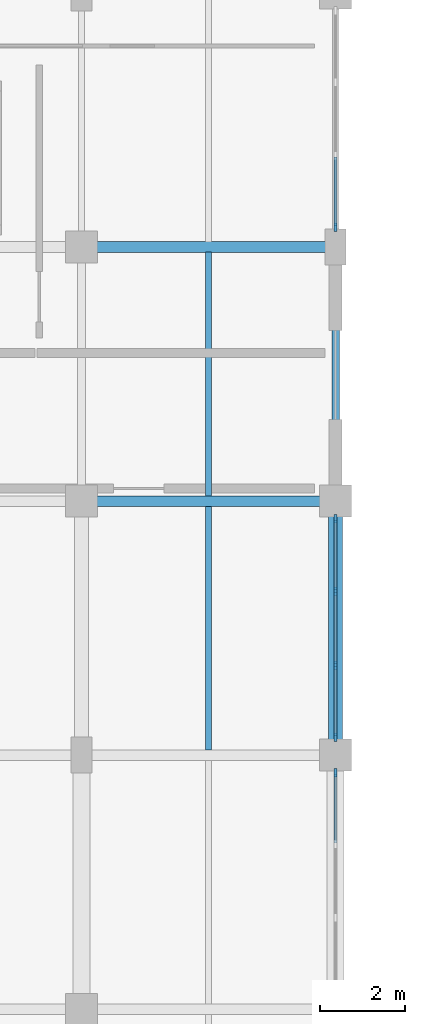
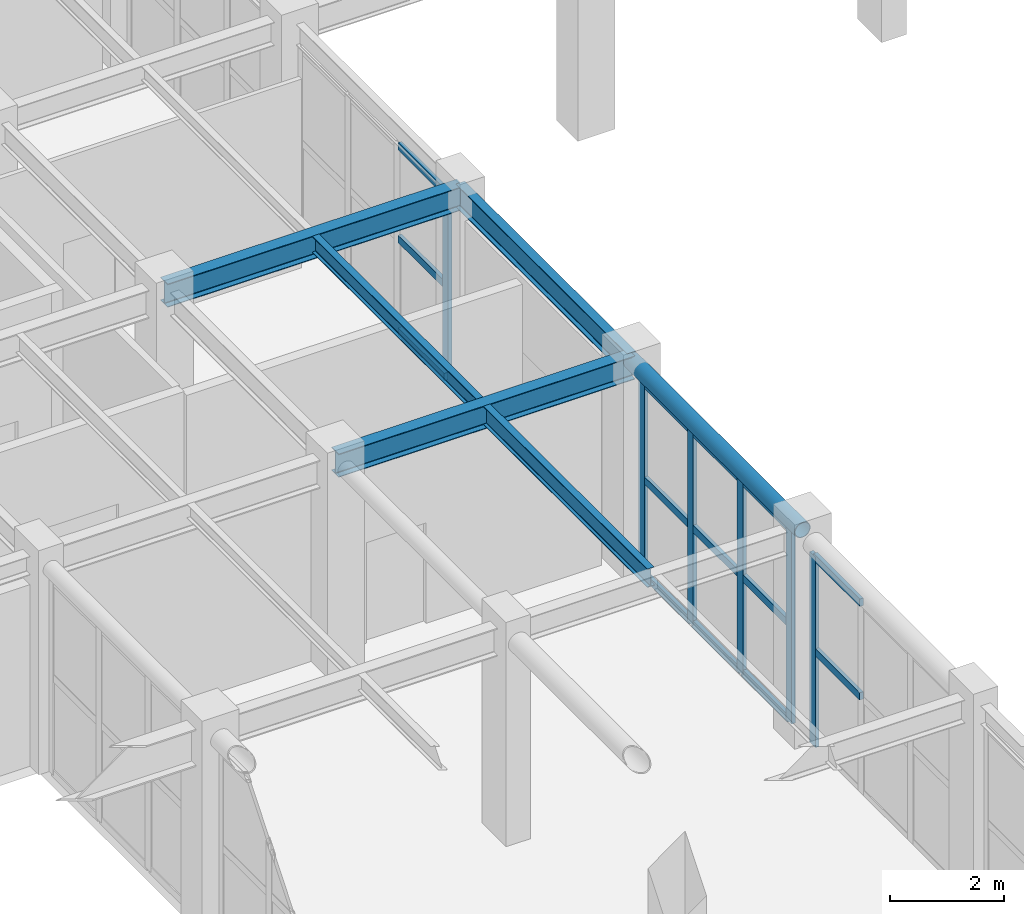
# One storey, part 13 of 76: 20 members, 6 beams, 3 elements without a shape of their own.
"""IFC4 building model written with IfcOpenShell, lengths in metres."""

from ifc_helpers import new_model, si_unit, direction, frame, origin, origin_2d, place, context, subcontext, project, spatial, rectangle, hollow_circle, i_section, extrude, material, material_profile, profile_set, type_object, element, aggregate, save


model = new_model("IFC4")

# Units and contexts
model_context = context("Model", 3, precision=1e-05, world=origin(), true_north=direction((0.0, 1.0)))
body_context = subcontext(model_context, "Body", "Model", "MODEL_VIEW")
ifc_project = project(units=[si_unit("LENGTHUNIT", "METRE"), si_unit("AREAUNIT", "SQUARE_METRE"), si_unit("VOLUMEUNIT", "CUBIC_METRE"), si_unit("PLANEANGLEUNIT", "RADIAN"), si_unit("MASSUNIT", "GRAM", prefix="KILO")], contexts=[model_context])

# Site, building, storey
site_placement = place(None, origin())
site = spatial("IfcSite", under=ifc_project, at=site_placement, CompositionType="ELEMENT")
building_placement = place(site_placement, origin())
building = spatial("IfcBuilding", under=site, at=building_placement, Name="Varnakota Square Police Headquarters", CompositionType="ELEMENT")
storey_placement = place(building_placement, origin())
storey = spatial("IfcBuildingStorey", under=building, at=storey_placement, Name="L00", CompositionType="ELEMENT", Elevation=0.0)

# Beams
ifc_material_1 = material(Name="Steel IS 2062 Grade 350", Category="steel")
ifc_material_profile_1 = material_profile(ifc_material_1, hollow_circle(Radius=0.161865234375, WallThickness=0.0126953125, at=origin_2d()), Name="CHS 323.9x12.7")
ifc_profile_set_1 = profile_set([ifc_material_profile_1], Name="Steel IS 2062 Grade 350")
beam_type_1 = type_object("IfcBeamType", Name="BM-ARC-CHS324", PredefinedType="BEAM", material=ifc_profile_set_1)
beam_1_placement = place(storey_placement, frame((42.0, 51.0, 4.337890625), z_axis=(0.0, 1.0, 0.0), x_axis=(-1.0, 0.0, 0.0)))
element("IfcBeam", 1, at=beam_1_placement, inside=storey, type_object=beam_type_1, Name="BMG-L00-1018", PredefinedType="BEAM", context=body_context, shape_type="SweptSolid", body=[
    extrude(hollow_circle(Radius=0.161865234375, WallThickness=0.0126953125, at=origin_2d()), origin(), (0.0, 0.0, 1.0), 6.0),
])
ifc_material_profile_2 = material_profile(ifc_material_1, i_section(OverallWidth=0.139892578125, OverallDepth=0.35009765625, WebThickness=0.008056640625, FlangeThickness=0.01416015625, FilletRadius=0.013916015625, at=origin_2d()), Name="ISMB 350")
ifc_profile_set_2 = profile_set([ifc_material_profile_2], Name="Steel IS 2062 Grade 350")
beam_type_2 = type_object("IfcBeamType", Name="BM-ISMB350", PredefinedType="JOIST", material=ifc_profile_set_2)
beam_2_placement = place(storey_placement, frame((39.0, 57.123046875, 4.324951171875), z_axis=(0.0, 1.0, 0.0), x_axis=(-1.0, 0.0, 0.0)))
element("IfcBeam", 2, at=beam_2_placement, inside=storey, type_object=beam_type_2, Name="BMG-L00-1233", PredefinedType="JOIST", context=body_context, shape_type="SweptSolid", body=[
    extrude(i_section(OverallWidth=0.139892578125, OverallDepth=0.35009765625, WebThickness=0.008056640625, FlangeThickness=0.01416015625, FilletRadius=0.013916015625, at=origin_2d()), origin(), (0.0, 0.0, 1.0), 5.75390625),
])
ifc_material_profile_3 = material_profile(ifc_material_1, i_section(OverallWidth=0.139892578125, OverallDepth=0.39990234375, WebThickness=0.0087890625, FlangeThickness=0.01611328125, FilletRadius=0.013916015625, at=origin_2d()), Name="ISMB 400")
ifc_profile_set_3 = profile_set([ifc_material_profile_3], Name="Steel IS 2062 Grade 350")
beam_type_3 = type_object("IfcBeamType", Name="BM-ISMB400", PredefinedType="JOIST", material=ifc_profile_set_3)
beam_3_placement = place(storey_placement, frame((39.0, 51.123046875, 4.300048828125), z_axis=(0.0, 1.0, 0.0), x_axis=(-1.0, 0.0, 0.0)))
element("IfcBeam", 3, at=beam_3_placement, inside=storey, type_object=beam_type_3, Name="BMG-L00-1232", PredefinedType="JOIST", context=body_context, shape_type="SweptSolid", body=[
    extrude(i_section(OverallWidth=0.139892578125, OverallDepth=0.39990234375, WebThickness=0.0087890625, FlangeThickness=0.01611328125, FilletRadius=0.013916015625, at=origin_2d()), origin(), (0.0, 0.0, 1.0), 5.75390625),
])
ifc_material_profile_4 = material_profile(ifc_material_1, i_section(OverallWidth=0.179931640625, OverallDepth=0.5, WebThickness=0.01025390625, FlangeThickness=0.01708984375, FilletRadius=0.01708984375, at=origin_2d()), Name="ISMB 500")
ifc_profile_set_4 = profile_set([ifc_material_profile_4], Name="Steel IS 2062 Grade 350")
beam_type_4 = type_object("IfcBeamType", Name="BM-ISMB500", PredefinedType="BEAM", material=ifc_profile_set_4)
beam_4_placement = place(storey_placement, frame((42.0, 57.0, 4.25), z_axis=(0.0, 1.0, 0.0), x_axis=(-1.0, 0.0, 0.0)))
element("IfcBeam", 4, at=beam_4_placement, inside=storey, type_object=beam_type_4, Name="BMG-L00-1019", PredefinedType="BEAM", context=body_context, shape_type="SweptSolid", body=[
    extrude(i_section(OverallWidth=0.179931640625, OverallDepth=0.5, WebThickness=0.01025390625, FlangeThickness=0.01708984375, FilletRadius=0.01708984375, at=origin_2d()), origin(), (0.0, 0.0, 1.0), 6.0),
])
ifc_material_profile_5 = material_profile(ifc_material_1, i_section(OverallWidth=0.25, OverallDepth=0.5, WebThickness=0.010009765625, FlangeThickness=0.0146484375, FilletRadius=0.014892578125, at=origin_2d()), Name="ISWB 500")
ifc_profile_set_5 = profile_set([ifc_material_profile_5], Name="Steel IS 2062 Grade 350")
beam_type_5 = type_object("IfcBeamType", Name="BM-ISWB500", PredefinedType="BEAM", material=ifc_profile_set_5)
for number, where, z_axis, x_axis, name in (
    (5, (36.0, 57.0, 4.25), (1.0, 0.0, 0.0), (0.0, 1.0, 0.0), "BMG-L00-0808"),
    (6, (36.0, 63.0, 4.25), (1.0, 0.0, 0.0), (0.0, 1.0, 0.0), "BMG-L00-0814"),
):
    element("IfcBeam", number, at=place(storey_placement, frame(where, z_axis=z_axis, x_axis=x_axis)), inside=storey, type_object=beam_type_5, Name=name, PredefinedType="BEAM", context=body_context, shape_type="SweptSolid", body=[
        extrude(i_section(OverallWidth=0.25, OverallDepth=0.5, WebThickness=0.010009765625, FlangeThickness=0.0146484375, FilletRadius=0.014892578125, at=origin_2d()), origin(), (0.0, 0.0, 1.0), 6.0),
    ])

# Curtain wall, member
ifc_material_2 = material(Name="Anodised Aluminium Framing", Category="aluminium")
curtain_wall_type = type_object("IfcCurtainWallType", Name="CW-SYS-D", PredefinedType="NOTDEFINED", material=ifc_material_2)
curtain_wall_1_placement = place(storey_placement, origin())
curtain_wall_1 = element("IfcCurtainWall", 7, at=curtain_wall_1_placement, inside=storey, type_object=curtain_wall_type, Name="Unitised curtain wall CWG-L00-130", PredefinedType="NOTDEFINED")
ifc_material_3 = material(Name="Anodised Aluminium 6063-T6", Category="aluminium")
ifc_material_profile_6 = material_profile(ifc_material_3, rectangle(XDim=0.074951171875, YDim=0.199951171875, at=origin_2d()), Name="ALU MULLION 75x200")
ifc_profile_set_6 = profile_set([ifc_material_profile_6], Name="Anodised Aluminium 6063-T6")
member_type_1 = type_object("IfcMemberType", Name="CWM-180", PredefinedType="MULLION", material=ifc_profile_set_6)
member_1_placement = place(storey_placement, frame((42.0, 50.58251953125, 0.0), z_axis=(0.0, 0.0, 1.0), x_axis=(-1.0, 0.0, 0.0)))
member_1 = element("IfcMember", 8, at=member_1_placement, type_object=member_type_1, Name="CWG-L00-130 mullion 4", PredefinedType="MULLION", context=body_context, shape_type="SweptSolid", body=[
    extrude(rectangle(XDim=0.074951171875, YDim=0.199951171875, at=origin_2d()), origin(), (0.0, 0.0, 1.0), 4.08349609375),
])

# Curtain wall, members
curtain_wall_2_placement = place(storey_placement, origin())
curtain_wall_2 = element("IfcCurtainWall", 9, at=curtain_wall_2_placement, inside=storey, type_object=curtain_wall_type, Name="Unitised curtain wall CWG-L00-131", PredefinedType="NOTDEFINED")
member_2_placement = place(storey_placement, frame((42.0, 51.41748046875, 0.0), z_axis=(0.0, 0.0, 1.0), x_axis=(-1.0, 0.0, 0.0)))
member_2 = element("IfcMember", 10, at=member_2_placement, type_object=member_type_1, Name="CWG-L00-131 mullion 1", PredefinedType="MULLION", context=body_context, shape_type="SweptSolid", body=[
    extrude(rectangle(XDim=0.074951171875, YDim=0.199951171875, at=origin_2d()), origin(), (0.0, 0.0, 1.0), 4.166015625),
])
member_3_placement = place(storey_placement, frame((42.0, 53.126708984375, 0.0), z_axis=(0.0, 0.0, 1.0), x_axis=(-1.0, 0.0, 0.0)))
member_3 = element("IfcMember", 11, at=member_3_placement, type_object=member_type_1, Name="CWG-L00-131 mullion 2", PredefinedType="MULLION", context=body_context, shape_type="SweptSolid", body=[
    extrude(rectangle(XDim=0.074951171875, YDim=0.199951171875, at=origin_2d()), origin(), (0.0, 0.0, 1.0), 4.166015625),
])
member_4_placement = place(storey_placement, frame((42.0, 54.873291015625, 0.0), z_axis=(0.0, 0.0, 1.0), x_axis=(-1.0, 0.0, 0.0)))
member_4 = element("IfcMember", 12, at=member_4_placement, type_object=member_type_1, Name="CWG-L00-131 mullion 3", PredefinedType="MULLION", context=body_context, shape_type="SweptSolid", body=[
    extrude(rectangle(XDim=0.074951171875, YDim=0.199951171875, at=origin_2d()), origin(), (0.0, 0.0, 1.0), 4.166015625),
])
member_5_placement = place(storey_placement, frame((42.0, 56.58251953125, 0.0), z_axis=(0.0, 0.0, 1.0), x_axis=(-1.0, 0.0, 0.0)))
member_5 = element("IfcMember", 13, at=member_5_placement, type_object=member_type_1, Name="CWG-L00-131 mullion 4", PredefinedType="MULLION", context=body_context, shape_type="SweptSolid", body=[
    extrude(rectangle(XDim=0.074951171875, YDim=0.199951171875, at=origin_2d()), origin(), (0.0, 0.0, 1.0), 4.166015625),
])

# Curtain wall, member
curtain_wall_3_placement = place(storey_placement, origin())
curtain_wall_3 = element("IfcCurtainWall", 14, at=curtain_wall_3_placement, inside=storey, type_object=curtain_wall_type, Name="Unitised curtain wall CWG-L00-132", PredefinedType="NOTDEFINED")
member_6_placement = place(storey_placement, frame((42.0, 63.467529296875, 0.0), z_axis=(0.0, 0.0, 1.0), x_axis=(-1.0, 0.0, 0.0)))
member_6 = element("IfcMember", 15, at=member_6_placement, type_object=member_type_1, Name="CWG-L00-132 mullion 1", PredefinedType="MULLION", context=body_context, shape_type="SweptSolid", body=[
    extrude(rectangle(XDim=0.074951171875, YDim=0.199951171875, at=origin_2d()), origin(), (0.0, 0.0, 1.0), 4.0400390625),
])

# Member
ifc_material_profile_7 = material_profile(ifc_material_3, rectangle(XDim=0.074951171875, YDim=0.159912109375, at=origin_2d()), Name="ALU TRANSOM 75x160")
ifc_profile_set_7 = profile_set([ifc_material_profile_7], Name="Anodised Aluminium 6063-T6")
member_type_2 = type_object("IfcMemberType", Name="CWT-150", PredefinedType="USERDEFINED", material=ifc_profile_set_7)
member_7_placement = place(storey_placement, frame((42.0, 48.927490234375, 2.041748046875), z_axis=(0.0, 1.0, 0.0), x_axis=(-1.0, 0.0, 0.0)))
member_7 = element("IfcMember", 16, at=member_7_placement, type_object=member_type_2, Name="CWG-L00-130 transom 3.2", ObjectType="TRANSOM", PredefinedType="USERDEFINED", context=body_context, shape_type="SweptSolid", body=[
    extrude(rectangle(XDim=0.074951171875, YDim=0.159912109375, at=origin_2d()), origin(), (0.0, 0.0, 1.0), 1.617431640625),
])

member_8_placement = place(storey_placement, frame((42.0, 48.927490234375, 4.046142578125), z_axis=(0.0, 1.0, 0.0), x_axis=(-1.0, 0.0, 0.0)))
member_8 = element("IfcMember", 17, at=member_8_placement, type_object=member_type_2, Name="CWG-L00-130 transom 3.3", ObjectType="TRANSOM", PredefinedType="USERDEFINED", context=body_context, shape_type="SweptSolid", body=[
    extrude(rectangle(XDim=0.074951171875, YDim=0.159912109375, at=origin_2d()), origin(), (0.0, 0.0, 1.0), 1.617431640625),
])

aggregate(curtain_wall_1, [member_1, member_7, member_8])

member_9_placement = place(storey_placement, frame((42.0, 51.455078125, 0.03759765625), z_axis=(0.0, 1.0, 0.0), x_axis=(-1.0, 0.0, 0.0)))
member_9 = element("IfcMember", 18, at=member_9_placement, type_object=member_type_2, Name="CWG-L00-131 transom 1.1", ObjectType="TRANSOM", PredefinedType="USERDEFINED", context=body_context, shape_type="SweptSolid", body=[
    extrude(rectangle(XDim=0.074951171875, YDim=0.159912109375, at=origin_2d()), origin(), (0.0, 0.0, 1.0), 1.634033203125),
])

member_10_placement = place(storey_placement, frame((42.0, 51.455078125, 2.0830078125), z_axis=(0.0, 1.0, 0.0), x_axis=(-1.0, 0.0, 0.0)))
member_10 = element("IfcMember", 19, at=member_10_placement, type_object=member_type_2, Name="CWG-L00-131 transom 1.2", ObjectType="TRANSOM", PredefinedType="USERDEFINED", context=body_context, shape_type="SweptSolid", body=[
    extrude(rectangle(XDim=0.074951171875, YDim=0.159912109375, at=origin_2d()), origin(), (0.0, 0.0, 1.0), 1.634033203125),
])

member_11_placement = place(storey_placement, frame((42.0, 51.455078125, 4.128662109375), z_axis=(0.0, 1.0, 0.0), x_axis=(-1.0, 0.0, 0.0)))
member_11 = element("IfcMember", 20, at=member_11_placement, type_object=member_type_2, Name="CWG-L00-131 transom 1.3", ObjectType="TRANSOM", PredefinedType="USERDEFINED", context=body_context, shape_type="SweptSolid", body=[
    extrude(rectangle(XDim=0.074951171875, YDim=0.159912109375, at=origin_2d()), origin(), (0.0, 0.0, 1.0), 1.634033203125),
])

member_12_placement = place(storey_placement, frame((42.0, 53.1640625, 0.03759765625), z_axis=(0.0, 1.0, 0.0), x_axis=(-1.0, 0.0, 0.0)))
member_12 = element("IfcMember", 21, at=member_12_placement, type_object=member_type_2, Name="CWG-L00-131 transom 2.1", ObjectType="TRANSOM", PredefinedType="USERDEFINED", context=body_context, shape_type="SweptSolid", body=[
    extrude(rectangle(XDim=0.074951171875, YDim=0.159912109375, at=origin_2d()), origin(), (0.0, 0.0, 1.0), 1.671875),
])

member_13_placement = place(storey_placement, frame((42.0, 53.1640625, 2.0830078125), z_axis=(0.0, 1.0, 0.0), x_axis=(-1.0, 0.0, 0.0)))
member_13 = element("IfcMember", 22, at=member_13_placement, type_object=member_type_2, Name="CWG-L00-131 transom 2.2", ObjectType="TRANSOM", PredefinedType="USERDEFINED", context=body_context, shape_type="SweptSolid", body=[
    extrude(rectangle(XDim=0.074951171875, YDim=0.159912109375, at=origin_2d()), origin(), (0.0, 0.0, 1.0), 1.671875),
])

member_14_placement = place(storey_placement, frame((42.0, 53.1640625, 4.128662109375), z_axis=(0.0, 1.0, 0.0), x_axis=(-1.0, 0.0, 0.0)))
member_14 = element("IfcMember", 23, at=member_14_placement, type_object=member_type_2, Name="CWG-L00-131 transom 2.3", ObjectType="TRANSOM", PredefinedType="USERDEFINED", context=body_context, shape_type="SweptSolid", body=[
    extrude(rectangle(XDim=0.074951171875, YDim=0.159912109375, at=origin_2d()), origin(), (0.0, 0.0, 1.0), 1.671875),
])

member_15_placement = place(storey_placement, frame((42.0, 54.910888671875, 0.03759765625), z_axis=(0.0, 1.0, 0.0), x_axis=(-1.0, 0.0, 0.0)))
member_15 = element("IfcMember", 24, at=member_15_placement, type_object=member_type_2, Name="CWG-L00-131 transom 3.1", ObjectType="TRANSOM", PredefinedType="USERDEFINED", context=body_context, shape_type="SweptSolid", body=[
    extrude(rectangle(XDim=0.074951171875, YDim=0.159912109375, at=origin_2d()), origin(), (0.0, 0.0, 1.0), 1.634033203125),
])

member_16_placement = place(storey_placement, frame((42.0, 54.910888671875, 2.0830078125), z_axis=(0.0, 1.0, 0.0), x_axis=(-1.0, 0.0, 0.0)))
member_16 = element("IfcMember", 25, at=member_16_placement, type_object=member_type_2, Name="CWG-L00-131 transom 3.2", ObjectType="TRANSOM", PredefinedType="USERDEFINED", context=body_context, shape_type="SweptSolid", body=[
    extrude(rectangle(XDim=0.074951171875, YDim=0.159912109375, at=origin_2d()), origin(), (0.0, 0.0, 1.0), 1.634033203125),
])

member_17_placement = place(storey_placement, frame((42.0, 54.910888671875, 4.128662109375), z_axis=(0.0, 1.0, 0.0), x_axis=(-1.0, 0.0, 0.0)))
member_17 = element("IfcMember", 26, at=member_17_placement, type_object=member_type_2, Name="CWG-L00-131 transom 3.3", ObjectType="TRANSOM", PredefinedType="USERDEFINED", context=body_context, shape_type="SweptSolid", body=[
    extrude(rectangle(XDim=0.074951171875, YDim=0.159912109375, at=origin_2d()), origin(), (0.0, 0.0, 1.0), 1.634033203125),
])

aggregate(curtain_wall_2, [member_2, member_3, member_4, member_5, member_9, member_10, member_11, member_12, member_13, member_14, member_15, member_16, member_17])

member_18_placement = place(storey_placement, frame((42.0, 63.5048828125, 0.03759765625), z_axis=(0.0, 1.0, 0.0), x_axis=(-1.0, 0.0, 0.0)))
member_18 = element("IfcMember", 27, at=member_18_placement, type_object=member_type_2, Name="CWG-L00-132 transom 1.1", ObjectType="TRANSOM", PredefinedType="USERDEFINED", context=body_context, shape_type="SweptSolid", body=[
    extrude(rectangle(XDim=0.074951171875, YDim=0.159912109375, at=origin_2d()), origin(), (0.0, 0.0, 1.0), 1.61767578125),
])

member_19_placement = place(storey_placement, frame((42.0, 63.5048828125, 2.02001953125), z_axis=(0.0, 1.0, 0.0), x_axis=(-1.0, 0.0, 0.0)))
member_19 = element("IfcMember", 28, at=member_19_placement, type_object=member_type_2, Name="CWG-L00-132 transom 1.2", ObjectType="TRANSOM", PredefinedType="USERDEFINED", context=body_context, shape_type="SweptSolid", body=[
    extrude(rectangle(XDim=0.074951171875, YDim=0.159912109375, at=origin_2d()), origin(), (0.0, 0.0, 1.0), 1.61767578125),
])

member_20_placement = place(storey_placement, frame((42.0, 63.5048828125, 4.00244140625), z_axis=(0.0, 1.0, 0.0), x_axis=(-1.0, 0.0, 0.0)))
member_20 = element("IfcMember", 29, at=member_20_placement, type_object=member_type_2, Name="CWG-L00-132 transom 1.3", ObjectType="TRANSOM", PredefinedType="USERDEFINED", context=body_context, shape_type="SweptSolid", body=[
    extrude(rectangle(XDim=0.074951171875, YDim=0.159912109375, at=origin_2d()), origin(), (0.0, 0.0, 1.0), 1.61767578125),
])

aggregate(curtain_wall_3, [member_6, member_18, member_19, member_20])

save(model, "model.ifc")
